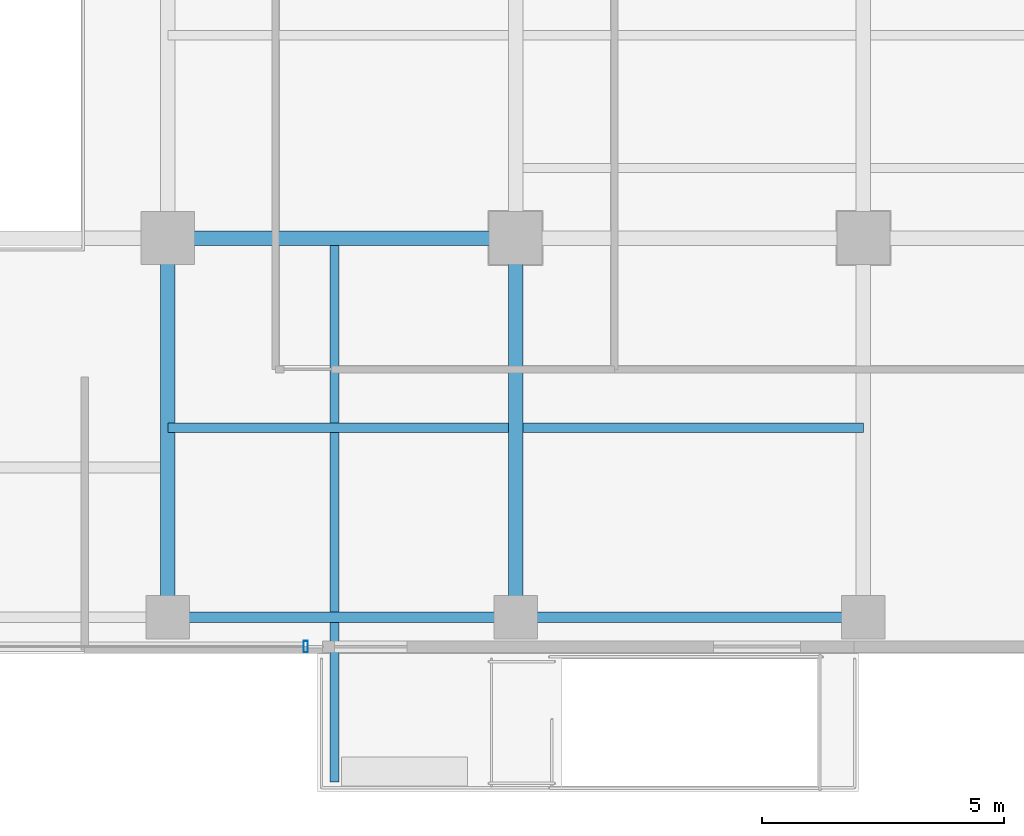
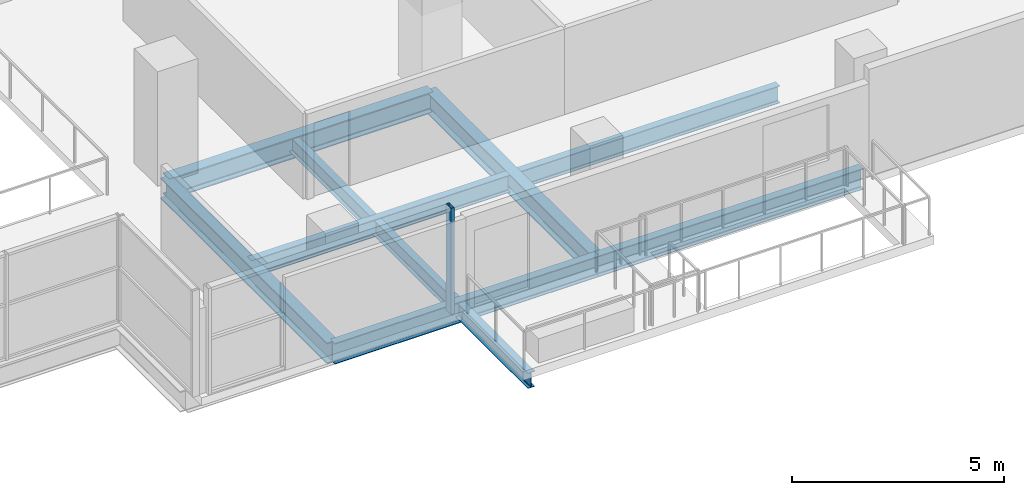
# One storey, part 11 of 28: 8 beams, 1 member, 1 element without a shape of its own.
"""IFC4 building model written with IfcOpenShell, lengths in metres."""

from ifc_helpers import new_model, si_unit, direction, frame, origin, origin_2d, place, context, subcontext, project, spatial, hollow_rectangle, i_section, extrude, source, transform, mapped, material, layer, layer_set, material_profile, profile_set, type_object, element, aggregate, save


model = new_model("IFC4")

# Units and contexts
model_context = context("Model", 3, precision=1e-05, world=origin(), true_north=direction((0.0, 1.0)))
body_context = subcontext(model_context, "Body", "Model", "MODEL_VIEW")
ifc_project = project(units=[si_unit("LENGTHUNIT", "METRE"), si_unit("AREAUNIT", "SQUARE_METRE"), si_unit("VOLUMEUNIT", "CUBIC_METRE"), si_unit("PLANEANGLEUNIT", "RADIAN"), si_unit("MASSUNIT", "GRAM", prefix="KILO")], contexts=[model_context])

# Site, building, storey
site_placement = place(None, origin())
site = spatial("IfcSite", under=ifc_project, at=site_placement, CompositionType="ELEMENT")
building_placement = place(site_placement, origin())
building = spatial("IfcBuilding", under=site, at=building_placement, Name="Zarnakvel Exchange Tower", CompositionType="ELEMENT")
storey_placement = place(building_placement, frame((0.0, 0.0, 57.10009765625)))
storey = spatial("IfcBuildingStorey", under=building, at=storey_placement, Name="L15", CompositionType="ELEMENT", Elevation=57.10009765625)

# Beams
ifc_material_1 = material(Name="Steel S355", Category="steel")
ifc_material_profile_1 = material_profile(ifc_material_1, i_section(OverallWidth=0.199951171875, OverallDepth=0.5, WebThickness=0.01025390625, FlangeThickness=0.01611328125, FilletRadius=0.02099609375, at=origin_2d()))
ifc_profile_set_1 = profile_set([ifc_material_profile_1], Name="Steel S355")
beam_type_1 = type_object("IfcBeamType", Name="B-04", PredefinedType="JOIST", material=ifc_profile_set_1)
for number, where, z_axis, x_axis, name in (
    (1, (7.199951171875, -13.52490234375, -0.47509765625), (1.0, 0.0, 0.0), (0.0, 1.0, 0.0), "L15 Composite Floor Secondary Joist"),
    (2, (14.550048828125, -13.52490234375, -0.47509765625), (1.0, 0.0, 0.0), (0.0, 1.0, 0.0), "L15 Composite Floor Secondary Joist"),
):
    element("IfcBeam", number, at=place(storey_placement, frame(where, z_axis=z_axis, x_axis=x_axis)), inside=storey, type_object=beam_type_1, Name=name, PredefinedType="JOIST", context=body_context, shape_type="SweptSolid", body=[
        extrude(i_section(OverallWidth=0.199951171875, OverallDepth=0.5, WebThickness=0.01025390625, FlangeThickness=0.01611328125, FilletRadius=0.02099609375, at=origin_2d()), origin(), (0.0, 0.0, 1.0), 7.050048828125),
    ])
ifc_material_profile_2 = material_profile(ifc_material_1, i_section(OverallWidth=0.18994140625, OverallDepth=0.449951171875, WebThickness=0.009521484375, FlangeThickness=0.0146484375, FilletRadius=0.02099609375, at=origin_2d()))
ifc_profile_set_2 = profile_set([ifc_material_profile_2], Name="Steel S355")
beam_type_2 = type_object("IfcBeamType", Name="B-05", PredefinedType="JOIST", material=ifc_profile_set_2)
beam_1_placement = place(storey_placement, frame((10.64990234375, -9.60009765625, -0.47509765625), z_axis=(0.0, -1.0, 0.0), x_axis=(1.0, 0.0, 0.0)))
element("IfcBeam", 3, at=beam_1_placement, inside=storey, type_object=beam_type_2, Name="L15 Continuous Spiral Terrace Beam W", PredefinedType="JOIST", context=body_context, shape_type="SweptSolid", body=[
    extrude(i_section(OverallWidth=0.18994140625, OverallDepth=0.449951171875, WebThickness=0.009521484375, FlangeThickness=0.0146484375, FilletRadius=0.02099609375, at=origin_2d()), origin(), (0.0, 0.0, 1.0), 11.260009765625),
])
ifc_material_profile_3 = material_profile(ifc_material_1, i_section(OverallWidth=0.300048828125, OverallDepth=0.60009765625, WebThickness=0.015380859375, FlangeThickness=0.030029296875, FilletRadius=0.027099609375, at=origin_2d()))
ifc_profile_set_3 = profile_set([ifc_material_profile_3], Name="Steel S355")
beam_type_3 = type_object("IfcBeamType", Name="G-04", PredefinedType="BEAM", material=ifc_profile_set_3)
beam_2_placement = place(storey_placement, frame((7.199951171875, -9.60009765625, -0.525146484375), z_axis=(1.0, 0.0, 0.0), x_axis=(0.0, 1.0, 0.0)))
element("IfcBeam", 4, at=beam_2_placement, inside=storey, type_object=beam_type_3, Name="L15 Tower E-W Frame Beam", PredefinedType="BEAM", context=body_context, shape_type="SweptSolid", body=[
    extrude(i_section(OverallWidth=0.300048828125, OverallDepth=0.60009765625, WebThickness=0.015380859375, FlangeThickness=0.030029296875, FilletRadius=0.027099609375, at=origin_2d()), origin(), (0.0, 0.0, 1.0), 7.199951171875),
])
for number, where, z_axis, x_axis, name in (
    (5, (7.199951171875, -17.449951171875, -0.525146484375), (0.0, 1.0, 0.0), (-1.0, 0.0, 0.0), "L15 Tower N-S Frame Beam"),
    (6, (14.39990234375, -17.449951171875, -0.525146484375), (0.0, 1.0, 0.0), (-1.0, 0.0, 0.0), "L15 Tower N-S Frame Beam"),
):
    element("IfcBeam", number, at=place(storey_placement, frame(where, z_axis=z_axis, x_axis=x_axis)), inside=storey, type_object=beam_type_3, Name=name, PredefinedType="BEAM", context=body_context, shape_type="SweptSolid", body=[
        extrude(i_section(OverallWidth=0.300048828125, OverallDepth=0.60009765625, WebThickness=0.015380859375, FlangeThickness=0.030029296875, FilletRadius=0.027099609375, at=origin_2d()), origin(), (0.0, 0.0, 1.0), 7.849853515625),
    ])
ifc_material_profile_4 = material_profile(ifc_material_1, i_section(OverallWidth=0.219970703125, OverallDepth=0.60009765625, WebThickness=0.011962890625, FlangeThickness=0.01904296875, FilletRadius=0.02392578125, at=origin_2d()))
ifc_profile_set_4 = profile_set([ifc_material_profile_4], Name="Steel S355")
beam_type_4 = type_object("IfcBeamType", Name="SP-01", PredefinedType="SPANDREL", material=ifc_profile_set_4)
beam_3_placement = place(storey_placement, frame((7.199951171875, -17.449951171875, -0.525146484375), z_axis=(1.0, 0.0, 0.0), x_axis=(0.0, 1.0, 0.0)))
element("IfcBeam", 7, at=beam_3_placement, inside=storey, type_object=beam_type_4, Name="L15 Tower E-W Frame Beam", PredefinedType="SPANDREL", context=body_context, shape_type="SweptSolid", body=[
    extrude(i_section(OverallWidth=0.219970703125, OverallDepth=0.60009765625, WebThickness=0.011962890625, FlangeThickness=0.01904296875, FilletRadius=0.02392578125, at=origin_2d()), origin(), (0.0, 0.0, 1.0), 7.199951171875),
])
beam_4_placement = place(storey_placement, frame((14.39990234375, -17.449951171875, -0.525146484375), z_axis=(1.0, 0.0, 0.0), x_axis=(0.0, 1.0, 0.0)))
element("IfcBeam", 8, at=beam_4_placement, inside=storey, type_object=beam_type_4, Name="L15 Tower E-W Frame Beam", PredefinedType="SPANDREL", context=body_context, shape_type="SweptSolid", body=[
    extrude(i_section(OverallWidth=0.219970703125, OverallDepth=0.60009765625, WebThickness=0.011962890625, FlangeThickness=0.01904296875, FilletRadius=0.02392578125, at=origin_2d()), origin(), (0.0, 0.0, 1.0), 7.2001953125),
])

# Curtain wall, member
ifc_material_2 = material(Name="Architectural Bronze Anodised Aluminium", Category="aluminium")
ifc_layer = layer(ifc_material_2, 0.239990234375)
ifc_layer_set = layer_set([ifc_layer], Name="Architectural Bronze Anodised Aluminium")
curtain_wall_type = type_object("IfcCurtainWallType", Name="CW-02", PredefinedType="NOTDEFINED", material=ifc_layer_set)
curtain_wall_placement = place(storey_placement, origin())
curtain_wall = element("IfcCurtainWall", 9, at=curtain_wall_placement, inside=storey, type_object=curtain_wall_type, Name="L15 Curtain Wall CW-L15-SE (CW-02)", PredefinedType="NOTDEFINED")
ifc_material_profile_5 = material_profile(ifc_material_2, hollow_rectangle(XDim=0.239990234375, YDim=0.090087890625, WallThickness=0.006103515625, at=origin_2d()))
ifc_profile_set_5 = profile_set([ifc_material_profile_5], Name="Architectural Bronze Anodised Aluminium")
member_type = type_object("IfcMemberType", Name="CWM-02", PredefinedType="MULLION", material=ifc_profile_set_5)
shared_shape = source(origin(), body_context, "Body", "SweptSolid", [
    extrude(hollow_rectangle(XDim=0.239990234375, YDim=0.090087890625, WallThickness=0.006103515625, at=origin_2d()), origin(), (0.0, 0.0, 1.0), 3.054931640625),
])
member_placement = place(storey_placement, frame((10.054931640625, -18.06005859375, 0.0), z_axis=(0.0, 0.0, 1.0), x_axis=(0.0, 1.0, 0.0)))
member = element("IfcMember", 10, at=member_placement, type_object=member_type, Name="CW-02 mullion 2", PredefinedType="MULLION", context=body_context, shape_type="MappedRepresentation", body=[
    mapped(shared_shape, transform((0.0, 0.0, 0.0), x_axis=(1.0, 0.0, 0.0), y_axis=(0.0, 1.0, 0.0), z_axis=(0.0, 0.0, 1.0), scale=1.0)),
])
aggregate(curtain_wall, [member])

save(model, "model.ifc")
